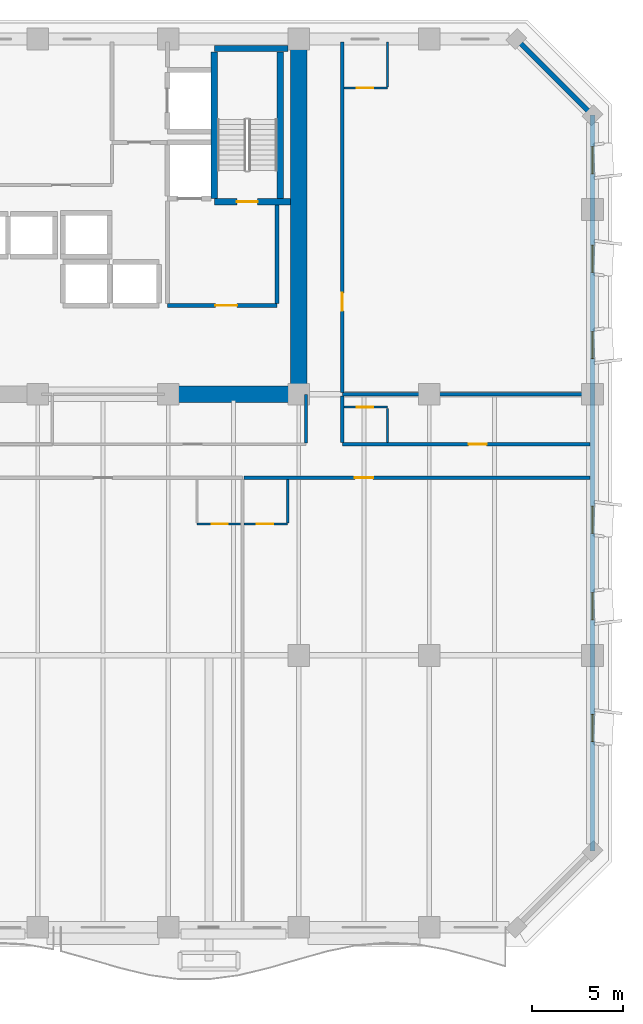
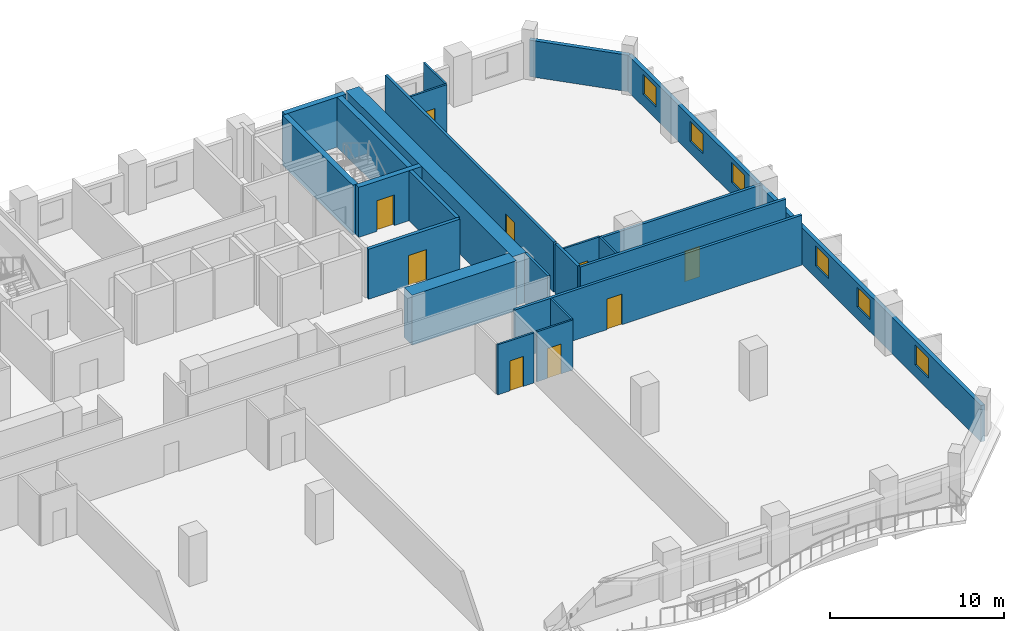
# One storey, part 9 of 14: 23 walls, 9 doors, 6 windows, 15 openings.
"""IFC4 building model written with IfcOpenShell, lengths in metres."""

from ifc_helpers import new_model, si_unit, direction, frame, frame_2d, origin, place, context, subcontext, project, spatial, rectangle, extrude, material, layer, layer_set, type_object, element, fill, save


model = new_model("IFC4")

# Units and contexts
model_context = context("Model", 3, precision=1e-05, world=origin(), true_north=direction((0.0, 1.0)))
body_context = subcontext(model_context, "Body", "Model", "MODEL_VIEW")
ifc_project = project(units=[si_unit("LENGTHUNIT", "METRE"), si_unit("AREAUNIT", "SQUARE_METRE"), si_unit("VOLUMEUNIT", "CUBIC_METRE"), si_unit("PLANEANGLEUNIT", "RADIAN"), si_unit("MASSUNIT", "GRAM", prefix="KILO")], contexts=[model_context])

# Site, building, storey
site_placement = place(None, origin())
site = spatial("IfcSite", under=ifc_project, at=site_placement, CompositionType="ELEMENT")
building_placement = place(site_placement, origin())
building = spatial("IfcBuilding", under=site, at=building_placement, Name="Kaelvorn Grand Hotel", CompositionType="ELEMENT")
storey_placement = place(building_placement, frame((0.0, 0.0, 123.050048828125)))
storey = spatial("IfcBuildingStorey", under=building, at=storey_placement, Name="L29", CompositionType="ELEMENT", Elevation=123.050048828125)

# Walls
ifc_material_1 = material(Name="Concrete C60/75", Category="concrete")
ifc_layer_1 = layer(ifc_material_1, 0.89990234375)
ifc_layer_set_1 = layer_set([ifc_layer_1], Name="Concrete C60/75")
wall_type_1 = type_object("IfcWallType", Name="WL-CORE-900-C60", PredefinedType="SHEAR", material=ifc_layer_set_1)
wall_1_placement = place(storey_placement, frame((67.800048828125, 29.39990234375, 0.0), z_axis=(0.0, 0.0, 1.0), x_axis=(0.0, 1.0, 0.0)))
element("IfcWall", 1, at=wall_1_placement, inside=storey, type_object=wall_type_1, Name="L29 Rear-Core East Shear Wall", PredefinedType="SHEAR", context=body_context, shape_type="SweptSolid", body=[
    extrude(rectangle(XDim=19.2001953125, YDim=0.89990234375, at=frame_2d((9.60009765625, 0.0))), origin(), (0.0, 0.0, 1.0), 3.510009765625),
])
wall_2_placement = place(storey_placement, frame((60.39990234375, 29.39990234375, 0.0), z_axis=(0.0, 0.0, 1.0), x_axis=(1.0, 0.0, 0.0)))
element("IfcWall", 2, at=wall_2_placement, inside=storey, type_object=wall_type_1, Name="L29 Rear-Core Coupled Shear Pier S4", PredefinedType="SHEAR", context=body_context, shape_type="SweptSolid", body=[
    extrude(rectangle(XDim=6.945068359375, YDim=0.89990234375, at=frame_2d((3.47265625, 0.0))), origin(), (0.0, 0.0, 1.0), 3.510009765625),
])

# Wall, openings, windows
ifc_material_2 = material(Name="Concrete C40/50", Category="concrete")
ifc_layer_2 = layer(ifc_material_2, 0.260009765625)
ifc_layer_set_2 = layer_set([ifc_layer_2], Name="Concrete C40/50")
wall_type_2 = type_object("IfcWallType", Name="WL-EXT-260-C40", PredefinedType="SOLIDWALL", material=ifc_layer_set_2)
wall_3_placement = place(storey_placement, frame((84.0, 4.199951171875, 0.0), z_axis=(0.0, 0.0, 1.0), x_axis=(0.0, 1.0, 0.0)))
wall_3 = element("IfcWall", 3, at=wall_3_placement, inside=storey, type_object=wall_type_2, Name="L29 Exterior Architectural Concrete Wall 03", PredefinedType="SOLIDWALL", context=body_context, shape_type="SweptSolid", body=[
    extrude(rectangle(XDim=40.60009765625, YDim=0.260009765625, at=frame_2d((20.300048828125, 0.0))), origin(), (0.0, 0.0, 1.0), 2.56005859375),
])
opening_1_placement = place(wall_3_placement, frame((6.050048828125, 0.0, 0.85009765625)))
opening_1 = element("IfcOpeningElement", 4, at=opening_1_placement, cuts=wall_3, Name="Opening W10", PredefinedType="OPENING", context=body_context, shape_type="SweptSolid", body=[
    extrude(rectangle(XDim=1.5, YDim=1.39990234375, at=frame_2d((0.75, 0.699951171875))), frame((0.0, 0.14013671875, 0.0), z_axis=(0.0, -1.0, 0.0), x_axis=(1.0, 0.0, 0.0)), (0.0, 0.0, 1.0), 0.280029296875),
])
opening_2_placement = place(wall_3_placement, frame((12.764892578125, 0.0, 0.85009765625)))
opening_2 = element("IfcOpeningElement", 5, at=opening_2_placement, cuts=wall_3, Name="Opening W10", PredefinedType="OPENING", context=body_context, shape_type="SweptSolid", body=[
    extrude(rectangle(XDim=1.5, YDim=1.39990234375, at=frame_2d((0.75, 0.699951171875))), frame((0.0, 0.14013671875, 0.0), z_axis=(0.0, -1.0, 0.0), x_axis=(1.0, 0.0, 0.0)), (0.0, 0.0, 1.0), 0.280029296875),
])
opening_3_placement = place(wall_3_placement, frame((17.534912109375, 0.0, 0.85009765625)))
opening_3 = element("IfcOpeningElement", 6, at=opening_3_placement, cuts=wall_3, Name="Opening W10", PredefinedType="OPENING", context=body_context, shape_type="SweptSolid", body=[
    extrude(rectangle(XDim=1.5, YDim=1.39990234375, at=frame_2d((0.75, 0.699951171875))), frame((0.0, 0.14013671875, 0.0), z_axis=(0.0, -1.0, 0.0), x_axis=(1.0, 0.0, 0.0)), (0.0, 0.0, 1.0), 0.280029296875),
])
opening_4_placement = place(wall_3_placement, frame((27.1650390625, 0.0, 0.85009765625)))
opening_4 = element("IfcOpeningElement", 7, at=opening_4_placement, cuts=wall_3, Name="Opening W10", PredefinedType="OPENING", context=body_context, shape_type="SweptSolid", body=[
    extrude(rectangle(XDim=1.5, YDim=1.39990234375, at=frame_2d((0.75, 0.699951171875))), frame((0.0, 0.14013671875, 0.0), z_axis=(0.0, -1.0, 0.0), x_axis=(1.0, 0.0, 0.0)), (0.0, 0.0, 1.0), 0.280029296875),
])
opening_5_placement = place(wall_3_placement, frame((31.93505859375, 0.0, 0.85009765625)))
opening_5 = element("IfcOpeningElement", 8, at=opening_5_placement, cuts=wall_3, Name="Opening W10", PredefinedType="OPENING", context=body_context, shape_type="SweptSolid", body=[
    extrude(rectangle(XDim=1.5, YDim=1.39990234375, at=frame_2d((0.75, 0.699951171875))), frame((0.0, 0.14013671875, 0.0), z_axis=(0.0, -1.0, 0.0), x_axis=(1.0, 0.0, 0.0)), (0.0, 0.0, 1.0), 0.280029296875),
])
opening_6_placement = place(wall_3_placement, frame((37.364990234375, 0.0, 0.85009765625)))
opening_6 = element("IfcOpeningElement", 9, at=opening_6_placement, cuts=wall_3, Name="Opening W10", PredefinedType="OPENING", context=body_context, shape_type="SweptSolid", body=[
    extrude(rectangle(XDim=1.5, YDim=1.39990234375, at=frame_2d((0.75, 0.699951171875))), frame((0.0, 0.14013671875, 0.0), z_axis=(0.0, -1.0, 0.0), x_axis=(1.0, 0.0, 0.0)), (0.0, 0.0, 1.0), 0.280029296875),
])
ifc_material_3 = material(Name="Laminated Low-E Glass", Category="glass")
window_type = type_object("IfcWindowType", Name="WIN-COR-1500x1400", PartitioningType="SINGLE_PANEL", PredefinedType="WINDOW", material=ifc_material_3)
window_1_placement = place(opening_1_placement, origin())
window_1 = element("IfcWindow", 10, at=window_1_placement, inside=storey, type_object=window_type, Name="L29 E Wing Tilted-Frame Ribbon Window E01", OverallHeight=1.39990234375, OverallWidth=1.5, PartitioningType="SINGLE_PANEL", PredefinedType="WINDOW", context=body_context, shape_type="SweptSolid", body=[
    extrude(rectangle(XDim=1.5, YDim=1.39990234375, at=frame_2d((0.75, 0.699951171875))), frame((0.0, 0.030029296875, 0.0), z_axis=(0.0, -1.0, 0.0), x_axis=(1.0, 0.0, 0.0)), (0.0, 0.0, 1.0), 0.06005859375),
])
fill(opening_1, window_1)
window_2_placement = place(opening_2_placement, origin())
window_2 = element("IfcWindow", 11, at=window_2_placement, inside=storey, type_object=window_type, Name="L29 E Wing Tilted-Frame Ribbon Window E02", OverallHeight=1.39990234375, OverallWidth=1.5, PartitioningType="SINGLE_PANEL", PredefinedType="WINDOW", context=body_context, shape_type="SweptSolid", body=[
    extrude(rectangle(XDim=1.5, YDim=1.39990234375, at=frame_2d((0.75, 0.699951171875))), frame((0.0, 0.030029296875, 0.0), z_axis=(0.0, -1.0, 0.0), x_axis=(1.0, 0.0, 0.0)), (0.0, 0.0, 1.0), 0.06005859375),
])
fill(opening_2, window_2)
window_3_placement = place(opening_3_placement, origin())
window_3 = element("IfcWindow", 12, at=window_3_placement, inside=storey, type_object=window_type, Name="L29 E Wing Tilted-Frame Ribbon Window E03", OverallHeight=1.39990234375, OverallWidth=1.5, PartitioningType="SINGLE_PANEL", PredefinedType="WINDOW", context=body_context, shape_type="SweptSolid", body=[
    extrude(rectangle(XDim=1.5, YDim=1.39990234375, at=frame_2d((0.75, 0.699951171875))), frame((0.0, 0.030029296875, 0.0), z_axis=(0.0, -1.0, 0.0), x_axis=(1.0, 0.0, 0.0)), (0.0, 0.0, 1.0), 0.06005859375),
])
fill(opening_3, window_3)
window_4_placement = place(opening_4_placement, origin())
window_4 = element("IfcWindow", 13, at=window_4_placement, inside=storey, type_object=window_type, Name="L29 E Wing Tilted-Frame Ribbon Window E04", OverallHeight=1.39990234375, OverallWidth=1.5, PartitioningType="SINGLE_PANEL", PredefinedType="WINDOW", context=body_context, shape_type="SweptSolid", body=[
    extrude(rectangle(XDim=1.5, YDim=1.39990234375, at=frame_2d((0.75, 0.699951171875))), frame((0.0, 0.030029296875, 0.0), z_axis=(0.0, -1.0, 0.0), x_axis=(1.0, 0.0, 0.0)), (0.0, 0.0, 1.0), 0.06005859375),
])
fill(opening_4, window_4)
window_5_placement = place(opening_5_placement, origin())
window_5 = element("IfcWindow", 14, at=window_5_placement, inside=storey, type_object=window_type, Name="L29 E Wing Tilted-Frame Ribbon Window E05", OverallHeight=1.39990234375, OverallWidth=1.5, PartitioningType="SINGLE_PANEL", PredefinedType="WINDOW", context=body_context, shape_type="SweptSolid", body=[
    extrude(rectangle(XDim=1.5, YDim=1.39990234375, at=frame_2d((0.75, 0.699951171875))), frame((0.0, 0.030029296875, 0.0), z_axis=(0.0, -1.0, 0.0), x_axis=(1.0, 0.0, 0.0)), (0.0, 0.0, 1.0), 0.06005859375),
])
fill(opening_5, window_5)
window_6_placement = place(opening_6_placement, origin())
window_6 = element("IfcWindow", 15, at=window_6_placement, inside=storey, type_object=window_type, Name="L29 E Wing Tilted-Frame Ribbon Window E06", OverallHeight=1.39990234375, OverallWidth=1.5, PartitioningType="SINGLE_PANEL", PredefinedType="WINDOW", context=body_context, shape_type="SweptSolid", body=[
    extrude(rectangle(XDim=1.5, YDim=1.39990234375, at=frame_2d((0.75, 0.699951171875))), frame((0.0, 0.030029296875, 0.0), z_axis=(0.0, -1.0, 0.0), x_axis=(1.0, 0.0, 0.0)), (0.0, 0.0, 1.0), 0.06005859375),
])
fill(opening_6, window_6)

# Wall
wall_4_placement = place(storey_placement, frame((84.0, 44.800048828125, 0.0), z_axis=(0.0, 0.0, 1.0), x_axis=(-0.707106781187, 0.707106781187, 0.0)))
element("IfcWall", 16, at=wall_4_placement, inside=storey, type_object=wall_type_2, Name="L29 Exterior Architectural Concrete Wall 04", PredefinedType="SOLIDWALL", context=body_context, shape_type="SweptSolid", body=[
    extrude(rectangle(XDim=5.939697265625, YDim=0.260009765625, at=frame_2d((2.9697265625, 0.0))), origin(), (0.0, 0.0, 1.0), 2.56005859375),
])

# Wall, opening, door
ifc_material_4 = material(Name="Moisture-Resistant Tile & Stud Board")
ifc_layer_3 = layer(ifc_material_4, 0.125)
ifc_layer_set_3 = layer_set([ifc_layer_3], Name="Moisture-Resistant Tile & Stud Board")
wall_type_3 = type_object("IfcWallType", Name="WL-PART-125-WET", PredefinedType="PARTITIONING", material=ifc_layer_set_3)
wall_5_placement = place(storey_placement, frame((62.190673828125, 22.25, 0.0), z_axis=(0.0, 0.0, 1.0), x_axis=(1.0, 0.0, 0.0)))
wall_5 = element("IfcWall", 17, at=wall_5_placement, inside=storey, type_object=wall_type_3, Name="L29 En-suite Bathroom L29-04 S Partition", PredefinedType="PARTITIONING", context=body_context, shape_type="SweptSolid", body=[
    extrude(rectangle(XDim=2.405029296875, YDim=0.125, at=frame_2d((1.20263671875, 0.0))), origin(), (0.0, 0.0, 1.0), 3.510009765625),
])
opening_7_placement = place(wall_5_placement, frame((0.800048828125, 0.0, 0.0)))
opening_7 = element("IfcOpeningElement", 18, at=opening_7_placement, cuts=wall_5, Name="Opening DI4", PredefinedType="OPENING", context=body_context, shape_type="SweptSolid", body=[
    extrude(rectangle(XDim=0.89990234375, YDim=2.10009765625, at=frame_2d((0.449951171875, 1.050048828125))), frame((0.0, 0.072509765625, 0.0), z_axis=(0.0, -1.0, 0.0), x_axis=(1.0, 0.0, 0.0)), (0.0, 0.0, 1.0), 0.14501953125),
])
ifc_material_5 = material(Name="Timber Veneer Leaf", Category="wood")
door_type_1 = type_object("IfcDoorType", Name="DR-INT-BATH-900x2100", OperationType="NOTDEFINED", PredefinedType="DOOR", material=ifc_material_5)
door_1_placement = place(opening_7_placement, origin())
door_1 = element("IfcDoor", 19, at=door_1_placement, inside=storey, type_object=door_type_1, Name="L29 En-suite Bathroom L29-04 Door", OperationType="SINGLE_SWING_LEFT", OverallHeight=2.10009765625, OverallWidth=0.89990234375, PredefinedType="DOOR", context=body_context, shape_type="SweptSolid", body=[
    extrude(rectangle(XDim=0.89990234375, YDim=2.10009765625, at=frame_2d((0.449951171875, 1.050048828125))), frame((0.0, 0.02490234375, 0.0), z_axis=(0.0, -1.0, 0.0), x_axis=(1.0, 0.0, 0.0)), (0.0, 0.0, 1.0), 0.050048828125),
])
fill(opening_7, door_1)

wall_6_placement = place(storey_placement, frame((64.78564453125, 22.25, 0.0), z_axis=(0.0, 0.0, 1.0), x_axis=(1.0, 0.0, 0.0)))
wall_6 = element("IfcWall", 20, at=wall_6_placement, inside=storey, type_object=wall_type_3, Name="L29 En-suite Bathroom L29-05 S Partition", PredefinedType="PARTITIONING", context=body_context, shape_type="SweptSolid", body=[
    extrude(rectangle(XDim=2.405029296875, YDim=0.125, at=frame_2d((1.20263671875, 0.0))), origin(), (0.0, 0.0, 1.0), 3.510009765625),
])
opening_8_placement = place(wall_6_placement, frame((0.705078125, 0.0, 0.0)))
opening_8 = element("IfcOpeningElement", 21, at=opening_8_placement, cuts=wall_6, Name="Opening DI4", PredefinedType="OPENING", context=body_context, shape_type="SweptSolid", body=[
    extrude(rectangle(XDim=0.89990234375, YDim=2.10009765625, at=frame_2d((0.449951171875, 1.050048828125))), frame((0.0, 0.072509765625, 0.0), z_axis=(0.0, -1.0, 0.0), x_axis=(1.0, 0.0, 0.0)), (0.0, 0.0, 1.0), 0.14501953125),
])
door_2_placement = place(opening_8_placement, origin())
door_2 = element("IfcDoor", 22, at=door_2_placement, inside=storey, type_object=door_type_1, Name="L29 En-suite Bathroom L29-05 Door", OperationType="SINGLE_SWING_LEFT", OverallHeight=2.10009765625, OverallWidth=0.89990234375, PredefinedType="DOOR", context=body_context, shape_type="SweptSolid", body=[
    extrude(rectangle(XDim=0.89990234375, YDim=2.10009765625, at=frame_2d((0.449951171875, 1.050048828125))), frame((0.0, 0.02490234375, 0.0), z_axis=(0.0, -1.0, 0.0), x_axis=(1.0, 0.0, 0.0)), (0.0, 0.0, 1.0), 0.050048828125),
])
fill(opening_8, door_2)

# Wall
wall_7_placement = place(storey_placement, frame((67.190673828125, 22.3173828125, 0.0), z_axis=(0.0, 0.0, 1.0), x_axis=(0.0, 1.0, 0.0)))
element("IfcWall", 23, at=wall_7_placement, inside=storey, type_object=wall_type_3, Name="L29 En-suite Bathroom L29-05 E Partition", PredefinedType="PARTITIONING", context=body_context, shape_type="SweptSolid", body=[
    extrude(rectangle(XDim=2.3876953125, YDim=0.125, at=frame_2d((1.19384765625, 0.0))), origin(), (0.0, 0.0, 1.0), 3.510009765625),
])

# Wall, opening, door
wall_8_placement = place(storey_placement, frame((70.294921875, 28.699951171875, 0.0), z_axis=(0.0, 0.0, 1.0), x_axis=(1.0, 0.0, 0.0)))
wall_8 = element("IfcWall", 24, at=wall_8_placement, inside=storey, type_object=wall_type_3, Name="L29 En-suite Bathroom L29-07 N Partition", PredefinedType="PARTITIONING", context=body_context, shape_type="SweptSolid", body=[
    extrude(rectangle(XDim=2.405029296875, YDim=0.125, at=frame_2d((1.20263671875, 0.0))), origin(), (0.0, 0.0, 1.0), 3.510009765625),
])
opening_9_placement = place(wall_8_placement, frame((0.705078125, 0.0, 0.0)))
opening_9 = element("IfcOpeningElement", 25, at=opening_9_placement, cuts=wall_8, Name="Opening DI4", PredefinedType="OPENING", context=body_context, shape_type="SweptSolid", body=[
    extrude(rectangle(XDim=0.89990234375, YDim=2.10009765625, at=frame_2d((0.449951171875, 1.050048828125))), frame((0.0, 0.072509765625, 0.0), z_axis=(0.0, -1.0, 0.0), x_axis=(1.0, 0.0, 0.0)), (0.0, 0.0, 1.0), 0.14501953125),
])
door_3_placement = place(opening_9_placement, origin())
door_3 = element("IfcDoor", 26, at=door_3_placement, inside=storey, type_object=door_type_1, Name="L29 En-suite Bathroom L29-07 Door", OperationType="SINGLE_SWING_LEFT", OverallHeight=2.10009765625, OverallWidth=0.89990234375, PredefinedType="DOOR", context=body_context, shape_type="SweptSolid", body=[
    extrude(rectangle(XDim=0.89990234375, YDim=2.10009765625, at=frame_2d((0.449951171875, 1.050048828125))), frame((0.0, 0.02490234375, 0.0), z_axis=(0.0, -1.0, 0.0), x_axis=(1.0, 0.0, 0.0)), (0.0, 0.0, 1.0), 0.050048828125),
])
fill(opening_9, door_3)

# Wall
wall_9_placement = place(storey_placement, frame((72.699951171875, 26.7451171875, 0.0), z_axis=(0.0, 0.0, 1.0), x_axis=(0.0, 1.0, 0.0)))
element("IfcWall", 27, at=wall_9_placement, inside=storey, type_object=wall_type_3, Name="L29 En-suite Bathroom L29-07 E Partition", PredefinedType="PARTITIONING", context=body_context, shape_type="SweptSolid", body=[
    extrude(rectangle(XDim=1.887451171875, YDim=0.125, at=frame_2d((0.94384765625, 0.0))), origin(), (0.0, 0.0, 1.0), 3.510009765625),
])

# Wall, opening, door
wall_10_placement = place(storey_placement, frame((70.294921875, 46.300048828125, 0.0), z_axis=(0.0, 0.0, 1.0), x_axis=(1.0, 0.0, 0.0)))
wall_10 = element("IfcWall", 28, at=wall_10_placement, inside=storey, type_object=wall_type_3, Name="L29 En-suite Bathroom L29-08 S Partition", PredefinedType="PARTITIONING", context=body_context, shape_type="SweptSolid", body=[
    extrude(rectangle(XDim=2.405029296875, YDim=0.125, at=frame_2d((1.20263671875, 0.0))), origin(), (0.0, 0.0, 1.0), 3.510009765625),
])
opening_10_placement = place(wall_10_placement, frame((0.705078125, 0.0, 0.0)))
opening_10 = element("IfcOpeningElement", 29, at=opening_10_placement, cuts=wall_10, Name="Opening DI4", PredefinedType="OPENING", context=body_context, shape_type="SweptSolid", body=[
    extrude(rectangle(XDim=0.89990234375, YDim=2.10009765625, at=frame_2d((0.449951171875, 1.050048828125))), frame((0.0, 0.072509765625, 0.0), z_axis=(0.0, -1.0, 0.0), x_axis=(1.0, 0.0, 0.0)), (0.0, 0.0, 1.0), 0.14501953125),
])
door_4_placement = place(opening_10_placement, origin())
door_4 = element("IfcDoor", 30, at=door_4_placement, inside=storey, type_object=door_type_1, Name="L29 En-suite Bathroom L29-08 Door", OperationType="SINGLE_SWING_LEFT", OverallHeight=2.10009765625, OverallWidth=0.89990234375, PredefinedType="DOOR", context=body_context, shape_type="SweptSolid", body=[
    extrude(rectangle(XDim=0.89990234375, YDim=2.10009765625, at=frame_2d((0.449951171875, 1.050048828125))), frame((0.0, 0.02490234375, 0.0), z_axis=(0.0, -1.0, 0.0), x_axis=(1.0, 0.0, 0.0)), (0.0, 0.0, 1.0), 0.050048828125),
])
fill(opening_10, door_4)

# Walls
wall_11_placement = place(storey_placement, frame((72.699951171875, 46.367431640625, 0.0), z_axis=(0.0, 0.0, 1.0), x_axis=(0.0, 1.0, 0.0)))
element("IfcWall", 31, at=wall_11_placement, inside=storey, type_object=wall_type_3, Name="L29 En-suite Bathroom L29-08 E Partition", PredefinedType="PARTITIONING", context=body_context, shape_type="SweptSolid", body=[
    extrude(rectangle(XDim=2.482666015625, YDim=0.125, at=frame_2d((1.2412109375, 0.0))), origin(), (0.0, 0.0, 1.0), 3.510009765625),
])
ifc_material_6 = material(Name="Acoustic Gypsum & Stud Partition")
ifc_layer_4 = layer(ifc_material_6, 0.14990234375)
ifc_layer_set_4 = layer_set([ifc_layer_4], Name="Acoustic Gypsum & Stud Partition")
wall_type_4 = type_object("IfcWallType", Name="WL-PART-150-EI60", PredefinedType="PARTITIONING", material=ifc_layer_set_4)
wall_12_placement = place(storey_placement, frame((68.199951171875, 26.72998046875, 0.0), z_axis=(0.0, 0.0, 1.0), x_axis=(0.0, 1.0, 0.0)))
element("IfcWall", 32, at=wall_12_placement, inside=storey, type_object=wall_type_4, Name="L29 Diplomatic Chancery Office E Partition", PredefinedType="PARTITIONING", context=body_context, shape_type="SweptSolid", body=[
    extrude(rectangle(XDim=2.659912109375, YDim=0.14990234375, at=frame_2d((1.330078125, 0.0))), origin(), (0.0, 0.0, 1.0), 3.510009765625),
])

# Wall, opening, door
ifc_layer_5 = layer(ifc_material_6, 0.179931640625)
ifc_layer_set_5 = layer_set([ifc_layer_5], Name="Acoustic Gypsum & Stud Partition")
wall_type_5 = type_object("IfcWallType", Name="WL-PART-180-EI60", PredefinedType="PARTITIONING", material=ifc_layer_set_5)
wall_13_placement = place(storey_placement, frame((64.78564453125, 24.800048828125, 0.0), z_axis=(0.0, 0.0, 1.0), x_axis=(1.0, 0.0, 0.0)))
wall_13 = element("IfcWall", 33, at=wall_13_placement, inside=storey, type_object=wall_type_5, Name="L29 Presidential Sky Suite L29-05 N Partition", PredefinedType="PARTITIONING", context=body_context, shape_type="SweptSolid", body=[
    extrude(rectangle(XDim=19.064453125, YDim=0.179931640625, at=frame_2d((9.5322265625, 0.0))), origin(), (0.0, 0.0, 1.0), 3.510009765625),
])
opening_11_placement = place(wall_13_placement, frame((6.114501953125, 0.0, 0.0)))
opening_11 = element("IfcOpeningElement", 34, at=opening_11_placement, cuts=wall_13, Name="Opening DI3", PredefinedType="OPENING", context=body_context, shape_type="SweptSolid", body=[
    extrude(rectangle(XDim=1.0, YDim=2.14990234375, at=frame_2d((0.5, 1.074951171875))), frame((0.0, 0.10009765625, 0.0), z_axis=(0.0, -1.0, 0.0), x_axis=(1.0, 0.0, 0.0)), (0.0, 0.0, 1.0), 0.199951171875),
])
ifc_material_7 = material(Name="Timber Veneer Fire Leaf", Category="wood")
door_type_2 = type_object("IfcDoorType", Name="DR-INT-GUEST-1000x2150", OperationType="NOTDEFINED", PredefinedType="DOOR", material=ifc_material_7)
door_5_placement = place(opening_11_placement, origin())
door_5 = element("IfcDoor", 35, at=door_5_placement, inside=storey, type_object=door_type_2, Name="L29 Presidential Sky Suite L29-05 Door", OperationType="SINGLE_SWING_RIGHT", OverallHeight=2.14990234375, OverallWidth=1.0, PredefinedType="DOOR", context=body_context, shape_type="SweptSolid", body=[
    extrude(rectangle(XDim=1.0, YDim=2.14990234375, at=frame_2d((0.5, 1.074951171875))), frame((0.0, 0.02490234375, 0.0), z_axis=(0.0, -1.0, 0.0), x_axis=(1.0, 0.0, 0.0)), (0.0, 0.0, 1.0), 0.050048828125),
])
fill(opening_11, door_5)

wall_14_placement = place(storey_placement, frame((70.199951171875, 26.64990234375, 0.0), z_axis=(0.0, 0.0, 1.0), x_axis=(1.0, 0.0, 0.0)))
wall_14 = element("IfcWall", 36, at=wall_14_placement, inside=storey, type_object=wall_type_5, Name="L29 East Chamfer Corner Suite L29-07 S Partition", PredefinedType="PARTITIONING", context=body_context, shape_type="SweptSolid", body=[
    extrude(rectangle(XDim=13.650146484375, YDim=0.179931640625, at=frame_2d((6.8251953125, 0.0))), origin(), (0.0, 0.0, 1.0), 3.510009765625),
])
opening_12_placement = place(wall_14_placement, frame((6.965087890625, 0.0, 0.0)))
opening_12 = element("IfcOpeningElement", 37, at=opening_12_placement, cuts=wall_14, Name="Opening DI3", PredefinedType="OPENING", context=body_context, shape_type="SweptSolid", body=[
    extrude(rectangle(XDim=1.0, YDim=2.14990234375, at=frame_2d((0.5, 1.074951171875))), frame((0.0, 0.10009765625, 0.0), z_axis=(0.0, -1.0, 0.0), x_axis=(1.0, 0.0, 0.0)), (0.0, 0.0, 1.0), 0.199951171875),
])
door_6_placement = place(opening_12_placement, origin())
door_6 = element("IfcDoor", 38, at=door_6_placement, inside=storey, type_object=door_type_2, Name="L29 East Chamfer Corner Suite L29-07 Door", OperationType="SINGLE_SWING_RIGHT", OverallHeight=2.14990234375, OverallWidth=1.0, PredefinedType="DOOR", context=body_context, shape_type="SweptSolid", body=[
    extrude(rectangle(XDim=1.0, YDim=2.14990234375, at=frame_2d((0.5, 1.074951171875))), frame((0.0, 0.02490234375, 0.0), z_axis=(0.0, -1.0, 0.0), x_axis=(1.0, 0.0, 0.0)), (0.0, 0.0, 1.0), 0.050048828125),
])
fill(opening_12, door_6)

# Walls
wall_15_placement = place(storey_placement, frame((70.199951171875, 29.39990234375, 0.0), z_axis=(0.0, 0.0, 1.0), x_axis=(1.0, 0.0, 0.0)))
element("IfcWall", 39, at=wall_15_placement, inside=storey, type_object=wall_type_5, Name="L29 East Chamfer Corner Suite L29-07 N Partition", PredefinedType="PARTITIONING", context=body_context, shape_type="SweptSolid", body=[
    extrude(rectangle(XDim=13.650146484375, YDim=0.179931640625, at=frame_2d((6.8251953125, 0.0))), origin(), (0.0, 0.0, 1.0), 2.85986328125),
])
wall_16_placement = place(storey_placement, frame((70.199951171875, 26.7451171875, 0.0), z_axis=(0.0, 0.0, 1.0), x_axis=(0.0, 1.0, 0.0)))
element("IfcWall", 40, at=wall_16_placement, inside=storey, type_object=wall_type_5, Name="L29 East Chamfer Corner Suite L29-07 W Partition", PredefinedType="PARTITIONING", context=body_context, shape_type="SweptSolid", body=[
    extrude(rectangle(XDim=2.559814453125, YDim=0.179931640625, at=frame_2d((1.27978515625, 0.0))), origin(), (0.0, 0.0, 1.0), 3.510009765625),
])

# Wall, opening, door
wall_17_placement = place(storey_placement, frame((70.199951171875, 29.4951171875, 0.0), z_axis=(0.0, 0.0, 1.0), x_axis=(0.0, 1.0, 0.0)))
wall_17 = element("IfcWall", 41, at=wall_17_placement, inside=storey, type_object=wall_type_5, Name="L29 Presidential Sky Suite L29-08 W Partition", PredefinedType="PARTITIONING", context=body_context, shape_type="SweptSolid", body=[
    extrude(rectangle(XDim=19.35498046875, YDim=0.179931640625, at=frame_2d((9.677490234375, 0.0))), origin(), (0.0, 0.0, 1.0), 3.510009765625),
])
opening_13_placement = place(wall_17_placement, frame((4.5048828125, 0.0, 0.0)))
opening_13 = element("IfcOpeningElement", 42, at=opening_13_placement, cuts=wall_17, Name="Opening DI3", PredefinedType="OPENING", context=body_context, shape_type="SweptSolid", body=[
    extrude(rectangle(XDim=1.0, YDim=2.14990234375, at=frame_2d((0.5, 1.074951171875))), frame((0.0, 0.10009765625, 0.0), z_axis=(0.0, -1.0, 0.0), x_axis=(1.0, 0.0, 0.0)), (0.0, 0.0, 1.0), 0.199951171875),
])
door_7_placement = place(opening_13_placement, origin())
door_7 = element("IfcDoor", 43, at=door_7_placement, inside=storey, type_object=door_type_2, Name="L29 Presidential Sky Suite L29-08 Door", OperationType="SINGLE_SWING_RIGHT", OverallHeight=2.14990234375, OverallWidth=1.0, PredefinedType="DOOR", context=body_context, shape_type="SweptSolid", body=[
    extrude(rectangle(XDim=1.0, YDim=2.14990234375, at=frame_2d((0.5, 1.074951171875))), frame((0.0, 0.02490234375, 0.0), z_axis=(0.0, -1.0, 0.0), x_axis=(1.0, 0.0, 0.0)), (0.0, 0.0, 1.0), 0.050048828125),
])
fill(opening_13, door_7)

ifc_layer_6 = layer(ifc_material_2, 0.219970703125)
ifc_layer_set_6 = layer_set([ifc_layer_6], Name="Concrete C40/50")
wall_type_6 = type_object("IfcWallType", Name="WL-PART-220-EI120", PredefinedType="PARTITIONING", material=ifc_layer_set_6)
wall_18_placement = place(storey_placement, frame((60.550048828125, 34.300048828125, 0.0), z_axis=(0.0, 0.0, 1.0), x_axis=(1.0, 0.0, 0.0)))
wall_18 = element("IfcWall", 44, at=wall_18_placement, inside=storey, type_object=wall_type_6, Name="L29 Firefighting Lift Lobby 2 S Partition", PredefinedType="PARTITIONING", context=body_context, shape_type="SweptSolid", body=[
    extrude(rectangle(XDim=6.050048828125, YDim=0.219970703125, at=frame_2d((3.02490234375, 0.0))), origin(), (0.0, 0.0, 1.0), 3.510009765625),
])
opening_14_placement = place(wall_18_placement, frame((2.64990234375, 0.0, 0.0)))
opening_14 = element("IfcOpeningElement", 45, at=opening_14_placement, cuts=wall_18, Name="Opening DI2", PredefinedType="OPENING", context=body_context, shape_type="SweptSolid", body=[
    extrude(rectangle(XDim=1.199951171875, YDim=2.14990234375, at=frame_2d((0.60009765625, 1.074951171875))), frame((0.0, 0.1201171875, 0.0), z_axis=(0.0, -1.0, 0.0), x_axis=(1.0, 0.0, 0.0)), (0.0, 0.0, 1.0), 0.239990234375),
])
door_type_3 = type_object("IfcDoorType", Name="DR-INT-FFLOB-1200x2150", OperationType="NOTDEFINED", PredefinedType="DOOR", material=ifc_material_7)
door_8_placement = place(opening_14_placement, origin())
door_8 = element("IfcDoor", 46, at=door_8_placement, inside=storey, type_object=door_type_3, Name="L29 Firefighting Lift Lobby 2 Door", OperationType="SINGLE_SWING_LEFT", OverallHeight=2.14990234375, OverallWidth=1.199951171875, PredefinedType="DOOR", context=body_context, shape_type="SweptSolid", body=[
    extrude(rectangle(XDim=1.199951171875, YDim=2.14990234375, at=frame_2d((0.60009765625, 1.074951171875))), frame((0.0, 0.02490234375, 0.0), z_axis=(0.0, -1.0, 0.0), x_axis=(1.0, 0.0, 0.0)), (0.0, 0.0, 1.0), 0.050048828125),
])
fill(opening_14, door_8)

# Wall
wall_19_placement = place(storey_placement, frame((66.60009765625, 34.4150390625, 0.0), z_axis=(0.0, 0.0, 1.0), x_axis=(0.0, 1.0, 0.0)))
element("IfcWall", 47, at=wall_19_placement, inside=storey, type_object=wall_type_6, Name="L29 Firefighting Lift Lobby 2 E Partition", PredefinedType="PARTITIONING", context=body_context, shape_type="SweptSolid", body=[
    extrude(rectangle(XDim=5.429931640625, YDim=0.219970703125, at=frame_2d((2.71484375, 0.0))), origin(), (0.0, 0.0, 1.0), 3.510009765625),
])

# Wall, opening, door
ifc_layer_7 = layer(ifc_material_1, 0.35009765625)
ifc_layer_set_7 = layer_set([ifc_layer_7], Name="Concrete C60/75")
wall_type_7 = type_object("IfcWallType", Name="WL-SHAFT-350-C60", PredefinedType="SHEAR", material=ifc_layer_set_7)
wall_20_placement = place(storey_placement, frame((63.14501953125, 40.02490234375, 0.0), z_axis=(0.0, 0.0, 1.0), x_axis=(1.0, 0.0, 0.0)))
wall_20 = element("IfcWall", 48, at=wall_20_placement, inside=storey, type_object=wall_type_7, Name="L29 ST3 Stair Shaft South Wall", PredefinedType="SHEAR", context=body_context, shape_type="SweptSolid", body=[
    extrude(rectangle(XDim=4.199951171875, YDim=0.35009765625, at=frame_2d((2.10009765625, 0.0))), origin(), (0.0, 0.0, 1.0), 3.510009765625),
])
opening_15_placement = place(wall_20_placement, frame((1.239990234375, 0.0, 0.0)))
opening_15 = element("IfcOpeningElement", 49, at=opening_15_placement, cuts=wall_20, Name="Opening DI1", PredefinedType="OPENING", context=body_context, shape_type="SweptSolid", body=[
    extrude(rectangle(XDim=1.14990234375, YDim=2.14990234375, at=frame_2d((0.574951171875, 1.074951171875))), frame((0.0, 0.18505859375, 0.0), z_axis=(0.0, -1.0, 0.0), x_axis=(1.0, 0.0, 0.0)), (0.0, 0.0, 1.0), 0.3701171875),
])
door_type_4 = type_object("IfcDoorType", Name="DR-INT-STAIR-1150x2150", OperationType="NOTDEFINED", PredefinedType="DOOR", material=ifc_material_7)
door_9_placement = place(opening_15_placement, origin())
door_9 = element("IfcDoor", 50, at=door_9_placement, inside=storey, type_object=door_type_4, Name="L29 ST3 Exit Stair Fire Door", OperationType="SINGLE_SWING_LEFT", OverallHeight=2.14990234375, OverallWidth=1.14990234375, PredefinedType="DOOR", context=body_context, shape_type="SweptSolid", body=[
    extrude(rectangle(XDim=1.14990234375, YDim=2.14990234375, at=frame_2d((0.574951171875, 1.074951171875))), frame((0.0, 0.02490234375, 0.0), z_axis=(0.0, -1.0, 0.0), x_axis=(1.0, 0.0, 0.0)), (0.0, 0.0, 1.0), 0.050048828125),
])
fill(opening_15, door_9)

# Walls
wall_21_placement = place(storey_placement, frame((63.14501953125, 48.47509765625, 0.0), z_axis=(0.0, 0.0, 1.0), x_axis=(1.0, 0.0, 0.0)))
element("IfcWall", 51, at=wall_21_placement, inside=storey, type_object=wall_type_7, Name="L29 ST3 Stair Shaft North Wall", PredefinedType="SHEAR", context=body_context, shape_type="SweptSolid", body=[
    extrude(rectangle(XDim=4.050048828125, YDim=0.35009765625, at=frame_2d((2.02490234375, 0.0))), origin(), (0.0, 0.0, 1.0), 3.510009765625),
])
for number, where, z_axis, x_axis, name in (
    (52, (63.14501953125, 40.205078125, 0.0), (0.0, 0.0, 1.0), (0.0, 1.0, 0.0), "L29 ST3 Stair Shaft West Wall"),
    (53, (66.77490234375, 40.205078125, 0.0), (0.0, 0.0, 1.0), (0.0, 1.0, 0.0), "L29 ST3 Stair Shaft East Wall"),
):
    element("IfcWall", number, at=place(storey_placement, frame(where, z_axis=z_axis, x_axis=x_axis)), inside=storey, type_object=wall_type_7, Name=name, PredefinedType="SHEAR", context=body_context, shape_type="SweptSolid", body=[
        extrude(rectangle(XDim=8.08984375, YDim=0.35009765625, at=frame_2d((4.044921875, 0.0))), origin(), (0.0, 0.0, 1.0), 3.510009765625),
    ])

save(model, "model.ifc")
